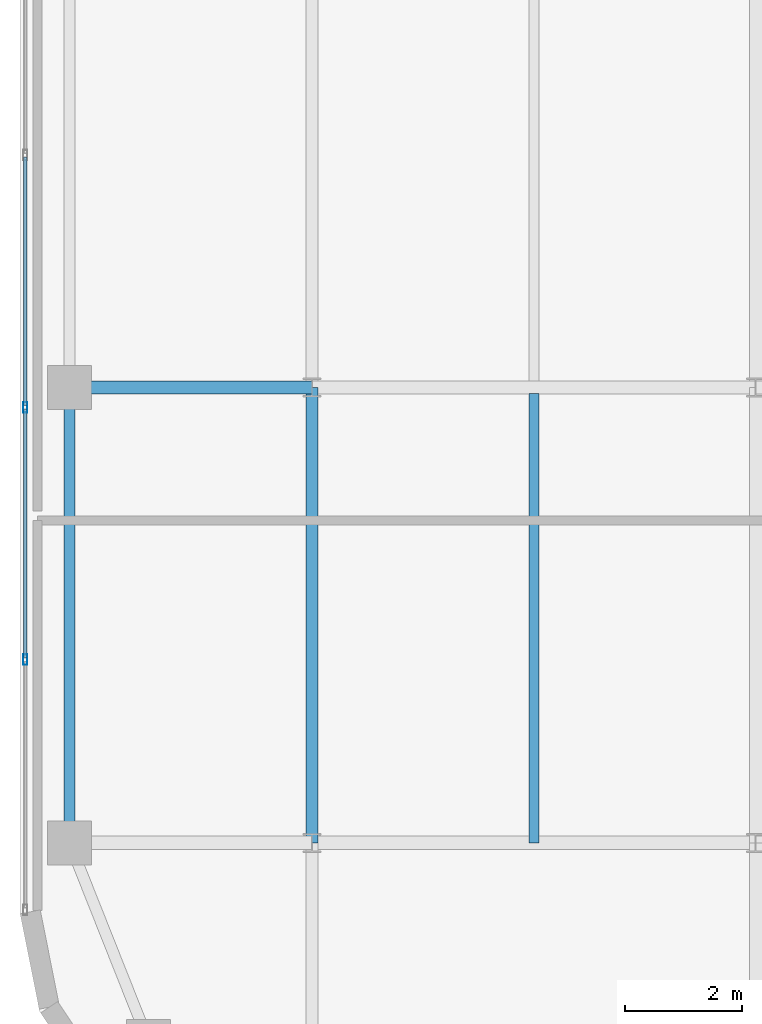
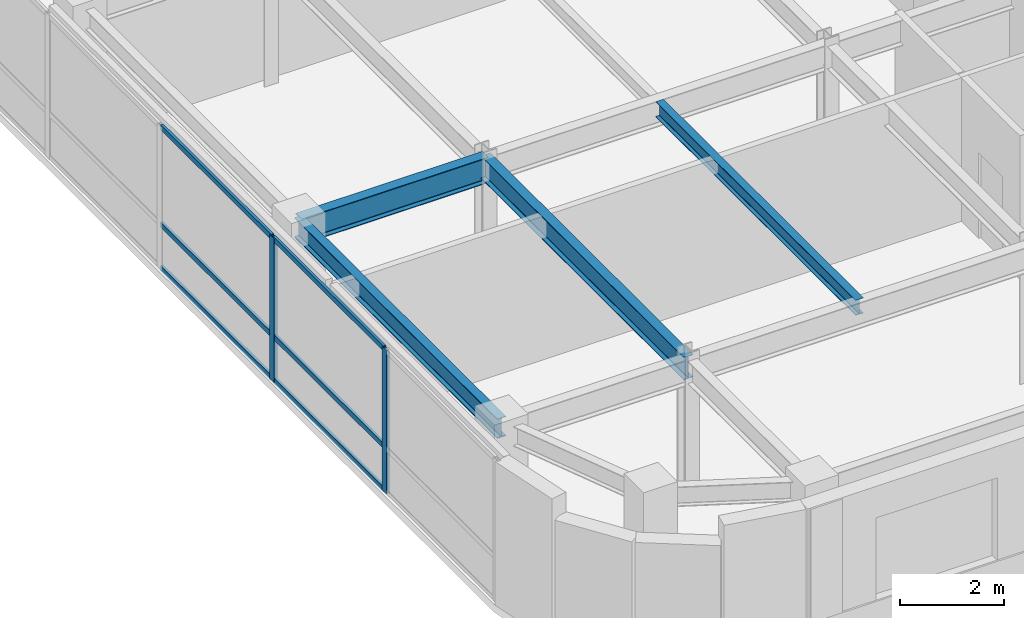
# One storey, part 5 of 21: 8 members, 4 beams, 1 element without a shape of its own.
"""IFC4 building model written with IfcOpenShell, lengths in metres."""

from ifc_helpers import new_model, si_unit, direction, frame, origin, origin_2d, place, context, subcontext, project, spatial, hollow_rectangle, i_section, extrude, source, transform, mapped, material, layer, layer_set, material_profile, profile_set, type_object, type_shapes, element, aggregate, save


model = new_model("IFC4")

# Units and contexts
model_context = context("Model", 3, precision=1e-05, world=origin(), true_north=direction((0.0, 1.0)))
body_context = subcontext(model_context, "Body", "Model", "MODEL_VIEW")
ifc_project = project(units=[si_unit("LENGTHUNIT", "METRE"), si_unit("AREAUNIT", "SQUARE_METRE"), si_unit("VOLUMEUNIT", "CUBIC_METRE"), si_unit("PLANEANGLEUNIT", "RADIAN"), si_unit("MASSUNIT", "GRAM", prefix="KILO")], contexts=[model_context])

# Site, building, storey
site_placement = place(None, origin())
site = spatial("IfcSite", under=ifc_project, at=site_placement, CompositionType="ELEMENT")
building_placement = place(site_placement, origin())
building = spatial("IfcBuilding", under=site, at=building_placement, Name="Tolvann Quenvar Hotel", CompositionType="ELEMENT")
storey_placement = place(building_placement, frame((0.0, 0.0, 227.449951171875)))
storey = spatial("IfcBuildingStorey", under=building, at=storey_placement, Name="L60", CompositionType="ELEMENT", Elevation=227.449951171875)

# Beams
ifc_material_1 = material(Name="Steel Grade 350", Category="steel")
ifc_material_profile_1 = material_profile(ifc_material_1, i_section(OverallWidth=0.208984375, OverallDepth=0.532958984375, WebThickness=0.01025390625, FlangeThickness=0.015625, FilletRadius=0.013916015625, at=origin_2d()), Name="530UB92")
ifc_profile_set_1 = profile_set([ifc_material_profile_1], Name="Steel Grade 350")
beam_type_1 = type_object("IfcBeamType", Name="BM_GIRD_530UB92", PredefinedType="BEAM", material=ifc_profile_set_1)
shared_shape_1 = source(origin(), body_context, "Body", "SweptSolid", [
    extrude(i_section(OverallWidth=0.208984375, OverallDepth=0.532958984375, WebThickness=0.01025390625, FlangeThickness=0.015625, FilletRadius=0.013916015625, at=origin_2d()), origin(), (0.0, 0.0, 1.0), 7.800048828125),
])
type_shapes(beam_type_1, [shared_shape_1])
beam_1_placement = place(storey_placement, frame((7.60009765625, 8.199951171875, 3.103515625), z_axis=(0.0, 1.0, 0.0), x_axis=(-1.0, 0.0, 0.0)))
element("IfcBeam", 1, at=beam_1_placement, inside=storey, type_object=beam_type_1, Name="BM-L60-NS-C3-C4", PredefinedType="BEAM", context=body_context, shape_type="MappedRepresentation", body=[
    mapped(shared_shape_1, transform((0.0, 0.0, 0.0), x_axis=(1.0, 0.0, 0.0), y_axis=(0.0, 1.0, 0.0), z_axis=(0.0, 0.0, 1.0), scale=1.0)),
])
ifc_material_profile_2 = material_profile(ifc_material_1, i_section(OverallWidth=0.22802734375, OverallDepth=0.60205078125, WebThickness=0.010498046875, FlangeThickness=0.014892578125, FilletRadius=0.013916015625, at=origin_2d()), Name="610UB101")
ifc_profile_set_2 = profile_set([ifc_material_profile_2], Name="Steel Grade 350")
beam_type_2 = type_object("IfcBeamType", Name="BM_GIRD_610UB101", PredefinedType="BEAM", material=ifc_profile_set_2)
shared_shape_2 = source(origin(), body_context, "Body", "SweptSolid", [
    extrude(i_section(OverallWidth=0.22802734375, OverallDepth=0.60205078125, WebThickness=0.010498046875, FlangeThickness=0.014892578125, FilletRadius=0.013916015625, at=origin_2d()), origin(), (0.0, 0.0, 1.0), 4.150146484375),
])
type_shapes(beam_type_2, [shared_shape_2])
beam_2_placement = place(storey_placement, frame((3.449951171875, 16.0, 3.069091796875), z_axis=(1.0, 0.0, 0.0), x_axis=(0.0, 1.0, 0.0)))
element("IfcBeam", 2, at=beam_2_placement, inside=storey, type_object=beam_type_2, Name="BM-L60-EW-4-B4-C4", PredefinedType="BEAM", context=body_context, shape_type="MappedRepresentation", body=[
    mapped(shared_shape_2, transform((0.0, 0.0, 0.0), x_axis=(1.0, 0.0, 0.0), y_axis=(0.0, 1.0, 0.0), z_axis=(0.0, 0.0, 1.0), scale=1.0)),
])
ifc_material_profile_3 = material_profile(ifc_material_1, i_section(OverallWidth=0.172119140625, OverallDepth=0.35888671875, WebThickness=0.008056640625, FlangeThickness=0.012939453125, FilletRadius=0.011474609375, at=origin_2d()), Name="360UB57")
ifc_profile_set_3 = profile_set([ifc_material_profile_3], Name="Steel Grade 350")
beam_type_3 = type_object("IfcBeamType", Name="BM_JOIST_360UB57", PredefinedType="JOIST", material=ifc_profile_set_3)
shared_shape_3 = source(origin(), body_context, "Body", "SweptSolid", [
    extrude(i_section(OverallWidth=0.172119140625, OverallDepth=0.35888671875, WebThickness=0.008056640625, FlangeThickness=0.012939453125, FilletRadius=0.011474609375, at=origin_2d()), origin(), (0.0, 0.0, 1.0), 7.692138671875),
])
type_shapes(beam_type_3, [shared_shape_3])
beam_3_placement = place(storey_placement, frame((11.39990234375, 8.199951171875, 3.1904296875), z_axis=(0.0, 1.0, 0.0), x_axis=(-1.0, 0.0, 0.0)))
element("IfcBeam", 3, at=beam_3_placement, inside=storey, type_object=beam_type_3, Name="BJ-L60-114-82", PredefinedType="JOIST", context=body_context, shape_type="MappedRepresentation", body=[
    mapped(shared_shape_3, transform((0.0, 0.0, 0.0), x_axis=(1.0, 0.0, 0.0), y_axis=(0.0, 1.0, 0.0), z_axis=(0.0, 0.0, 1.0), scale=1.0)),
])
ifc_material_profile_4 = material_profile(ifc_material_1, i_section(OverallWidth=0.19091796875, OverallDepth=0.4599609375, WebThickness=0.010009765625, FlangeThickness=0.01611328125, FilletRadius=0.011474609375, at=origin_2d()), Name="460UB82")
ifc_profile_set_4 = profile_set([ifc_material_profile_4], Name="Steel Grade 350")
beam_type_4 = type_object("IfcBeamType", Name="BM_SPAND_460UB82", PredefinedType="SPANDREL", material=ifc_profile_set_4)
shared_shape_4 = source(origin(), body_context, "Body", "SweptSolid", [
    extrude(i_section(OverallWidth=0.19091796875, OverallDepth=0.4599609375, WebThickness=0.010009765625, FlangeThickness=0.01611328125, FilletRadius=0.011474609375, at=origin_2d()), origin(), (0.0, 0.0, 1.0), 7.800048828125),
])
type_shapes(beam_type_4, [shared_shape_4])
beam_4_placement = place(storey_placement, frame((3.449951171875, 8.199951171875, 3.14013671875), z_axis=(0.0, 1.0, 0.0), x_axis=(-1.0, 0.0, 0.0)))
element("IfcBeam", 4, at=beam_4_placement, inside=storey, type_object=beam_type_4, Name="BM-L60-NS-B3-B4", PredefinedType="SPANDREL", context=body_context, shape_type="MappedRepresentation", body=[
    mapped(shared_shape_4, transform((0.0, 0.0, 0.0), x_axis=(1.0, 0.0, 0.0), y_axis=(0.0, 1.0, 0.0), z_axis=(0.0, 0.0, 1.0), scale=1.0)),
])

# Curtain wall, members
ifc_material_2 = material(Name="Thermally broken anodised architectural aluminium 6063-T6 and laminated low-E glass", Category="aluminium")
ifc_layer = layer(ifc_material_2, 0.179931640625)
ifc_layer_set = layer_set([ifc_layer], Name="Thermally broken anodised architectural aluminium 6063-T6 and laminated low-E glass")
curtain_wall_type = type_object("IfcCurtainWallType", Name="CW_SYS_BAND_04", PredefinedType="USERDEFINED", material=ifc_layer_set)
curtain_wall_placement = place(storey_placement, origin())
curtain_wall = element("IfcCurtainWall", 5, at=curtain_wall_placement, inside=storey, type_object=curtain_wall_type, Name="Curtain Wall CW-BAND-04 (CWR-L60-E19)", ObjectType="UNITISED CURTAIN WALL", PredefinedType="USERDEFINED")
ifc_material_3 = material(Name="Anodised architectural aluminium 6063-T6 framing", Category="aluminium")
ifc_material_profile_5 = material_profile(ifc_material_3, hollow_rectangle(XDim=0.070068359375, YDim=0.179931640625, WallThickness=0.00390625, at=origin_2d()), Name="180x70x4RHS")
ifc_profile_set_5 = profile_set([ifc_material_profile_5], Name="Anodised architectural aluminium 6063-T6 framing")
member_type_1 = type_object("IfcMemberType", Name="CW_MULL_180x70", PredefinedType="MULLION", material=ifc_profile_set_5)
shared_shape_5 = source(origin(), body_context, "Body", "SweptSolid", [
    extrude(hollow_rectangle(XDim=0.070068359375, YDim=0.179931640625, WallThickness=0.00390625, at=origin_2d()), origin(), (0.0, 0.0, 1.0), 3.3701171875),
])
type_shapes(member_type_1, [shared_shape_5])
member_1_placement = place(storey_placement, frame((2.68994140625, 15.65869140625, 0.0), z_axis=(0.0, 0.0, 1.0), x_axis=(1.0, 0.0, 0.0)))
member_1 = element("IfcMember", 6, at=member_1_placement, type_object=member_type_1, Name="CW-BAND-04 mullion 7", PredefinedType="MULLION", context=body_context, shape_type="MappedRepresentation", body=[
    mapped(shared_shape_5, transform((0.0, 0.0, 0.0), x_axis=(1.0, 0.0, 0.0), y_axis=(0.0, 1.0, 0.0), z_axis=(0.0, 0.0, 1.0), scale=1.0)),
])
member_2_placement = place(storey_placement, frame((2.68994140625, 11.337890625, 0.0), z_axis=(0.0, 0.0, 1.0), x_axis=(1.0, 0.0, 0.0)))
member_2 = element("IfcMember", 7, at=member_2_placement, type_object=member_type_1, Name="CW-BAND-04 mullion 8", PredefinedType="MULLION", context=body_context, shape_type="MappedRepresentation", body=[
    mapped(shared_shape_5, transform((0.0, 0.0, 0.0), x_axis=(1.0, 0.0, 0.0), y_axis=(0.0, 1.0, 0.0), z_axis=(0.0, 0.0, 1.0), scale=1.0)),
])
ifc_material_profile_6 = material_profile(ifc_material_3, hollow_rectangle(XDim=0.06005859375, YDim=0.1201171875, WallThickness=0.00341796875, at=origin_2d()), Name="120x60x3.5RHS")
ifc_profile_set_6 = profile_set([ifc_material_profile_6], Name="Anodised architectural aluminium 6063-T6 framing")
member_type_2 = type_object("IfcMemberType", Name="CW_TRAN_120x60", PredefinedType="USERDEFINED", material=ifc_profile_set_6)
shared_shape_6 = source(origin(), body_context, "Body", "SweptSolid", [
    extrude(hollow_rectangle(XDim=0.06005859375, YDim=0.1201171875, WallThickness=0.00341796875, at=origin_2d()), origin(), (0.0, 0.0, 1.0), 4.250732421875),
])
type_shapes(member_type_2, [shared_shape_6])
member_3_placement = place(storey_placement, frame((2.68994140625, 19.9443359375, 0.030029296875), z_axis=(0.0, -1.0, 0.0), x_axis=(1.0, 0.0, 0.0)))
member_3 = element("IfcMember", 8, at=member_3_placement, type_object=member_type_2, Name="CW-BAND-04 transom 6.1", ObjectType="TRANSOM", PredefinedType="USERDEFINED", context=body_context, shape_type="MappedRepresentation", body=[
    mapped(shared_shape_6, transform((0.0, 0.0, 0.0), x_axis=(1.0, 0.0, 0.0), y_axis=(0.0, 1.0, 0.0), z_axis=(0.0, 0.0, 1.0), scale=1.0)),
])
member_4_placement = place(storey_placement, frame((2.68994140625, 19.9443359375, 1.050048828125), z_axis=(0.0, -1.0, 0.0), x_axis=(1.0, 0.0, 0.0)))
member_4 = element("IfcMember", 9, at=member_4_placement, type_object=member_type_2, Name="CW-BAND-04 transom 6.2", ObjectType="TRANSOM", PredefinedType="USERDEFINED", context=body_context, shape_type="MappedRepresentation", body=[
    mapped(shared_shape_6, transform((0.0, 0.0, 0.0), x_axis=(1.0, 0.0, 0.0), y_axis=(0.0, 1.0, 0.0), z_axis=(0.0, 0.0, 1.0), scale=1.0)),
])
member_5_placement = place(storey_placement, frame((2.68994140625, 19.9443359375, 3.340087890625), z_axis=(0.0, -1.0, 0.0), x_axis=(1.0, 0.0, 0.0)))
member_5 = element("IfcMember", 10, at=member_5_placement, type_object=member_type_2, Name="CW-BAND-04 transom 6.3", ObjectType="TRANSOM", PredefinedType="USERDEFINED", context=body_context, shape_type="MappedRepresentation", body=[
    mapped(shared_shape_6, transform((0.0, 0.0, 0.0), x_axis=(1.0, 0.0, 0.0), y_axis=(0.0, 1.0, 0.0), z_axis=(0.0, 0.0, 1.0), scale=1.0)),
])
member_6_placement = place(storey_placement, frame((2.68994140625, 15.62353515625, 0.030029296875), z_axis=(0.0, -1.0, 0.0), x_axis=(1.0, 0.0, 0.0)))
member_6 = element("IfcMember", 11, at=member_6_placement, type_object=member_type_2, Name="CW-BAND-04 transom 7.1", ObjectType="TRANSOM", PredefinedType="USERDEFINED", context=body_context, shape_type="MappedRepresentation", body=[
    mapped(shared_shape_6, transform((0.0, 0.0, 0.0), x_axis=(1.0, 0.0, 0.0), y_axis=(0.0, 1.0, 0.0), z_axis=(0.0, 0.0, 1.0), scale=1.0)),
])
member_7_placement = place(storey_placement, frame((2.68994140625, 15.62353515625, 1.050048828125), z_axis=(0.0, -1.0, 0.0), x_axis=(1.0, 0.0, 0.0)))
member_7 = element("IfcMember", 12, at=member_7_placement, type_object=member_type_2, Name="CW-BAND-04 transom 7.2", ObjectType="TRANSOM", PredefinedType="USERDEFINED", context=body_context, shape_type="MappedRepresentation", body=[
    mapped(shared_shape_6, transform((0.0, 0.0, 0.0), x_axis=(1.0, 0.0, 0.0), y_axis=(0.0, 1.0, 0.0), z_axis=(0.0, 0.0, 1.0), scale=1.0)),
])
member_8_placement = place(storey_placement, frame((2.68994140625, 15.62353515625, 3.340087890625), z_axis=(0.0, -1.0, 0.0), x_axis=(1.0, 0.0, 0.0)))
member_8 = element("IfcMember", 13, at=member_8_placement, type_object=member_type_2, Name="CW-BAND-04 transom 7.3", ObjectType="TRANSOM", PredefinedType="USERDEFINED", context=body_context, shape_type="MappedRepresentation", body=[
    mapped(shared_shape_6, transform((0.0, 0.0, 0.0), x_axis=(1.0, 0.0, 0.0), y_axis=(0.0, 1.0, 0.0), z_axis=(0.0, 0.0, 1.0), scale=1.0)),
])
aggregate(curtain_wall, [member_1, member_2, member_3, member_4, member_5, member_6, member_7, member_8])

save(model, "model.ifc")
